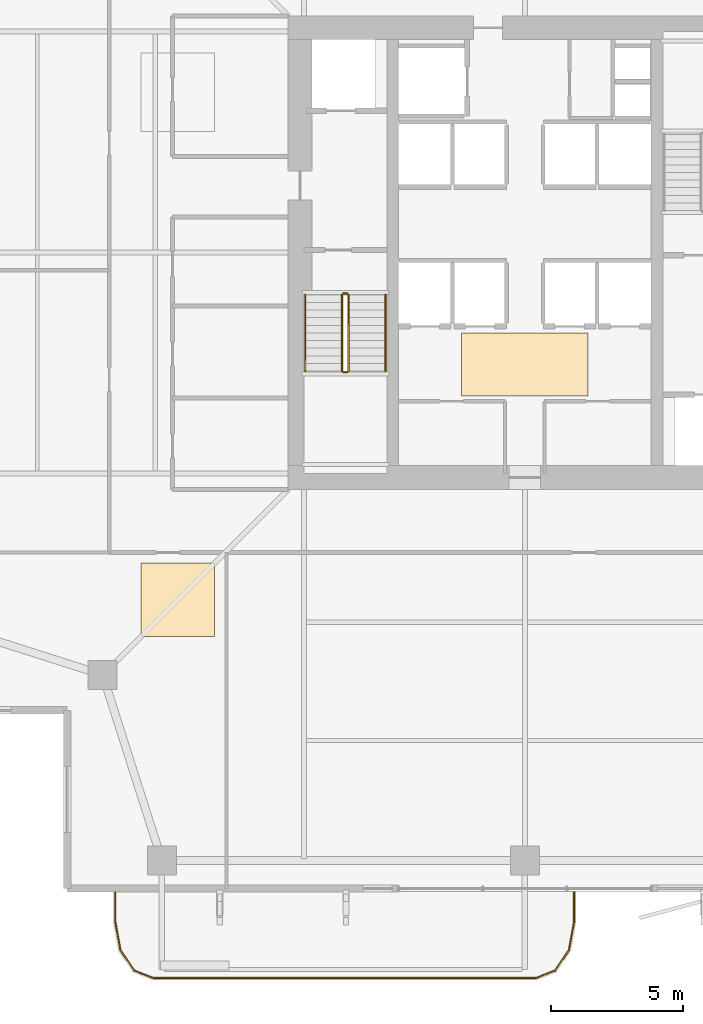
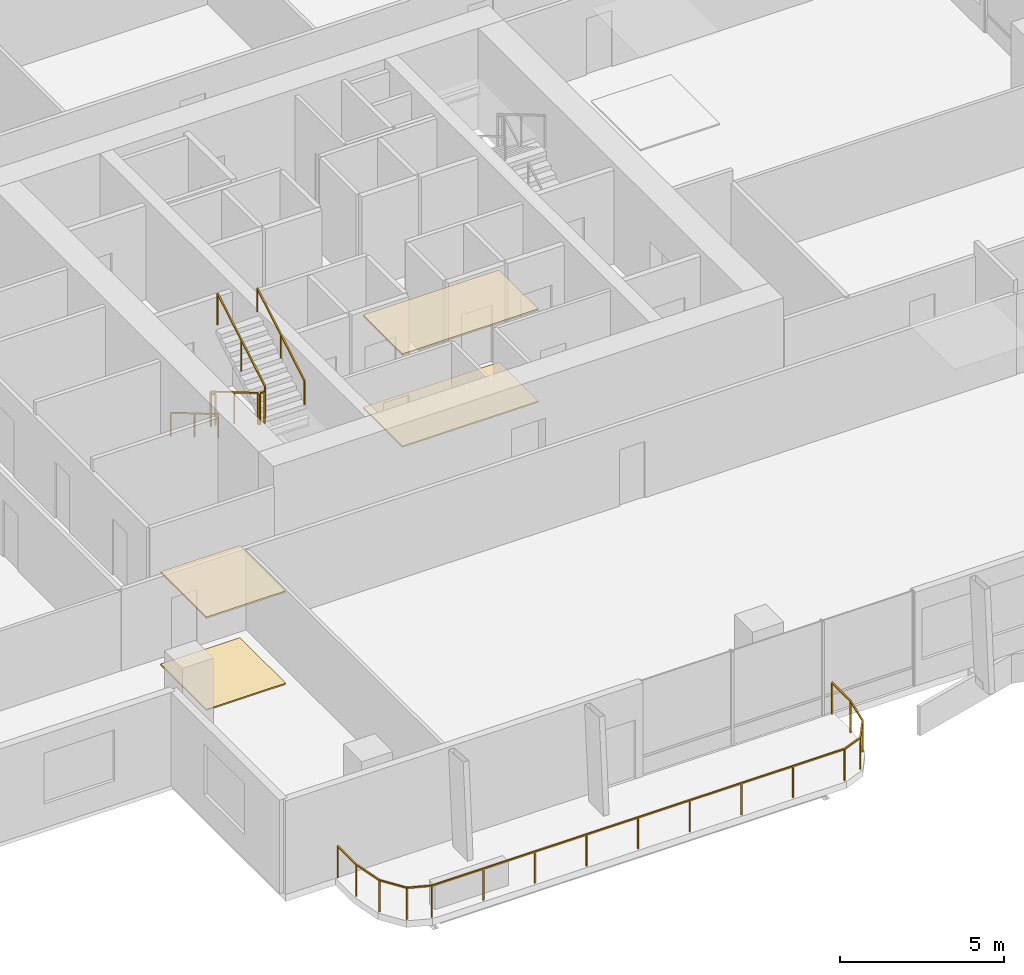
# One storey, part 23 of 25: 7 railings, 4 coverings.
"""IFC4 building model written with IfcOpenShell, lengths in metres."""

import ifcopenshell
import ifcopenshell.guid

model = None  # the IFC model being written
_history = None  # IfcOwnerHistory: only IFC2X3 demands one
_inside = {}  # id of a spatial element -> (the spatial element, [elements in it])
_under = {}  # id of a project, library or spatial element -> (it, [spatial elements below it])
_declared = {}  # id of a project -> (the project, [libraries it declares])
_typed = {}  # id of a type object -> (the type object, [elements of that type])
_made_of = {}  # id of a material, layer set ... -> (it, [elements and type objects made of it])


def new_model(schema):
    """Start an empty IFC model of exactly this schema.

    Asked for "IFC4X3", IfcOpenShell would pick the latest addendum, in which some entities
    have other attributes; the version numbers below select the first issue.
    IFC2X3 requires an IfcOwnerHistory on every rooted entity: one is made here for all.
    """
    global model, _history
    if schema == "IFC4X3":
        model = ifcopenshell.file(schema_version=(4, 3, 0, 0))
    else:
        model = ifcopenshell.file(schema=schema)
    _inside.clear()
    _under.clear()
    _declared.clear()
    _typed.clear()
    _made_of.clear()
    _history = None
    if model.schema == "IFC2X3":
        org = make("IfcOrganization", Name="unknown")
        user = make(
            "IfcPersonAndOrganization",
            ThePerson=make("IfcPerson", FamilyName="unknown"),
            TheOrganization=org,
        )
        app = make(
            "IfcApplication",
            ApplicationDeveloper=org,
            Version="unknown",
            ApplicationFullName="unknown",
            ApplicationIdentifier="unknown",
        )
        _history = make(
            "IfcOwnerHistory",
            OwningUser=user,
            OwningApplication=app,
            ChangeAction="ADDED",
            CreationDate=0,
        )
    return model


def make(cls, **values):
    """One entity of the class cls with the attributes given. An attribute that is None is left unset."""
    return model.create_entity(
        cls, **{name: value for name, value in values.items() if value is not None}
    )


def rooted(cls, **values):
    """An entity with a GlobalId (a new one), such as an element, a storey or a relation."""
    return make(cls, GlobalId=ifcopenshell.guid.new(), OwnerHistory=_history, **values)


def si_unit(unit_type, name, prefix=None):
    """IfcSIUnit, for example si_unit("LENGTHUNIT", "METRE", prefix="MILLI")."""
    return make("IfcSIUnit", UnitType=unit_type, Prefix=prefix, Name=name)


def assignment(units):
    """IfcUnitAssignment: the units of a project."""
    return None if units is None else make("IfcUnitAssignment", Units=units)


def point(xyz):
    """IfcCartesianPoint."""
    return None if xyz is None else make("IfcCartesianPoint", Coordinates=xyz)


def direction(xyz):
    """IfcDirection."""
    return None if xyz is None else make("IfcDirection", DirectionRatios=xyz)


def frame(location, z_axis=None, x_axis=None):
    """IfcAxis2Placement3D, a coordinate frame: its origin and axes. An axis left out is left unset."""
    return make(
        "IfcAxis2Placement3D",
        Location=point(location),
        Axis=direction(z_axis),
        RefDirection=direction(x_axis),
    )


def frame_2d(location, x_axis=None):
    """IfcAxis2Placement2D, a coordinate frame in the plane: its origin and x axis."""
    return make(
        "IfcAxis2Placement2D", Location=point(location), RefDirection=direction(x_axis)
    )


def origin():
    """The frame at (0, 0, 0) with its axes left unset."""
    return frame((0.0, 0.0, 0.0))


def origin_2d():
    """The frame at (0, 0) in the plane with its x axis left unset."""
    return frame_2d((0.0, 0.0))


def place(relative_to, where):
    """IfcLocalPlacement: puts the frame where relative to a parent placement (None: the world)."""
    return make(
        "IfcLocalPlacement", PlacementRelTo=relative_to, RelativePlacement=where
    )


def context(
    kind, dimensions, precision=None, world=None, true_north=None, identifier=None
):
    """IfcGeometricRepresentationContext, for example the 3D "Model" context."""
    return make(
        "IfcGeometricRepresentationContext",
        ContextIdentifier=identifier,
        ContextType=kind,
        CoordinateSpaceDimension=dimensions,
        Precision=precision,
        WorldCoordinateSystem=world,
        TrueNorth=true_north,
    )


def subcontext(parent, identifier, kind, view, scale=None):
    """IfcGeometricRepresentationSubContext, for example "Body" below "Model"."""
    return make(
        "IfcGeometricRepresentationSubContext",
        ContextIdentifier=identifier,
        ContextType=kind,
        ParentContext=parent,
        TargetScale=scale,
        TargetView=view,
    )


def project(units=None, contexts=None):
    """IfcProject with its units and contexts."""
    return rooted(
        "IfcProject",
        Name="project",
        RepresentationContexts=contexts,
        UnitsInContext=assignment(units),
    )


def spatial(cls, under=None, at=None, **own):
    """A site, building, storey or space (cls), placed at a placement, below another one or the project."""
    s = rooted(cls, ObjectPlacement=at, **own)
    if under is not None:
        _under.setdefault(under.id(), (under, []))[1].append(s)
    return s


def polyline(points):
    """IfcPolyline through the points."""
    return make("IfcPolyline", Points=[point(p) for p in points])


def profile(cls, at=None, kind="AREA", **sizes):
    """A parametric profile (cls). Its sizes go by their IFC names, for example OverallWidth=200.0."""
    return make(cls, ProfileType=kind, Position=at, **sizes)


def rectangle(**sizes):
    """IfcRectangleProfileDef."""
    return profile("IfcRectangleProfileDef", **sizes)


def outline(outer, holes=None, kind="AREA"):
    """IfcArbitraryClosedProfileDef: a profile drawn as a closed curve; with holes, ...WithVoids."""
    if holes is None:
        return make("IfcArbitraryClosedProfileDef", ProfileType=kind, OuterCurve=outer)
    return make(
        "IfcArbitraryProfileDefWithVoids",
        ProfileType=kind,
        OuterCurve=outer,
        InnerCurves=holes,
    )


def extrude(swept, where, along, depth):
    """IfcExtrudedAreaSolid: the profile swept, set in the frame where, extruded along a direction by depth."""
    return make(
        "IfcExtrudedAreaSolid",
        SweptArea=swept,
        Position=where,
        ExtrudedDirection=direction(along),
        Depth=depth,
    )


def shape(context_of_items, identifier, shape_type, items):
    """IfcShapeRepresentation: the items that make up one representation, for example the "Body"."""
    return make(
        "IfcShapeRepresentation",
        ContextOfItems=context_of_items,
        RepresentationIdentifier=identifier,
        RepresentationType=shape_type,
        Items=items,
    )


def material(Name=None, Category=None):
    """IfcMaterial."""
    return make("IfcMaterial", Name=Name, Category=Category)


def layer(
    of_material, thickness, ventilated=None, Name=None, Category=None, Priority=None
):
    """IfcMaterialLayer: one layer of a wall or slab, of a material (None: an air gap)."""
    return make(
        "IfcMaterialLayer",
        Material=of_material,
        LayerThickness=thickness,
        IsVentilated=ventilated,
        Name=Name,
        Category=Category,
        Priority=Priority,
    )


def layer_set(layers, Name=None):
    """IfcMaterialLayerSet."""
    return make("IfcMaterialLayerSet", MaterialLayers=layers, LayerSetName=Name)


def made_of(thing, what):
    """Note that an element or type object is made of a material, layer set ...; save() writes the relation."""
    if what is not None:
        _made_of.setdefault(what.id(), (what, []))[1].append(thing)
    return thing


def type_object(cls, material=None, **own):
    """A type object (cls), such as IfcWallType, which elements share."""
    return made_of(rooted(cls, **own), material)


def element(
    cls,
    number,
    at=None,
    inside=None,
    cuts=None,
    type_object=None,
    material=None,
    context=None,
    identifier="Body",
    shape_type=None,
    held_by="IfcProductDefinitionShape",
    body=None,
    shapes=None,
    **own,
):
    """One element of the class cls, such as IfcWall. Its Tag is "e" and its number.

    at: its placement. inside: the storey or other place that contains it. cuts: it is an
    opening in that element (IfcRelVoidsElement). A single representation is given by context,
    identifier, shape_type and body (its items); several are given by shapes. held_by: the class
    of the entity that holds the representations. save() writes the other relations.
    """
    e = rooted(cls, Tag="e%d" % number, ObjectPlacement=at, **own)
    if body is not None:
        shapes = [shape(context, identifier, shape_type, body)]
    if shapes is not None:
        e.Representation = make(held_by, Representations=shapes)
    if inside is not None:
        _inside.setdefault(inside.id(), (inside, []))[1].append(e)
    if cuts is not None:
        rooted(
            "IfcRelVoidsElement", RelatingBuildingElement=cuts, RelatedOpeningElement=e
        )
    if type_object is not None:
        _typed.setdefault(type_object.id(), (type_object, []))[1].append(e)
    return made_of(e, material)


def aggregate(whole, parts):
    """IfcRelAggregates: a whole, such as a stair, and the parts it consists of."""
    return rooted("IfcRelAggregates", RelatingObject=whole, RelatedObjects=parts)


def save(model, path):
    """Write the relations noted so far, then the file.

    IfcRelAggregates (storeys below a building ...), IfcRelContainedInSpatialStructure (elements
    in a storey), IfcRelDefinesByType, IfcRelAssociatesMaterial and IfcRelDeclares: one each for
    every whole, place, type object, material and project.
    """
    for whole, parts in _under.values():
        aggregate(whole, parts)
    for where, things in _inside.values():
        rooted(
            "IfcRelContainedInSpatialStructure",
            RelatedElements=things,
            RelatingStructure=where,
        )
    for kind, things in _typed.values():
        rooted("IfcRelDefinesByType", RelatedObjects=things, RelatingType=kind)
    for what, things in _made_of.values():
        rooted("IfcRelAssociatesMaterial", RelatedObjects=things, RelatingMaterial=what)
    for by, libraries in _declared.values():
        rooted("IfcRelDeclares", RelatingContext=by, RelatedDefinitions=libraries)
    model.write(path)


model = new_model("IFC4")

# Units and contexts
model_context = context("Model", 3, precision=1e-05, world=origin(), true_north=direction((0.0, 1.0)))
body_context = subcontext(model_context, "Body", "Model", "MODEL_VIEW")
ifc_project = project(units=[si_unit("LENGTHUNIT", "METRE"), si_unit("AREAUNIT", "SQUARE_METRE"), si_unit("VOLUMEUNIT", "CUBIC_METRE"), si_unit("PLANEANGLEUNIT", "RADIAN"), si_unit("MASSUNIT", "GRAM", prefix="KILO")], contexts=[model_context])

# Site, building, storey
site_placement = place(None, origin())
site = spatial("IfcSite", under=ifc_project, at=site_placement, CompositionType="ELEMENT")
building_placement = place(site_placement, origin())
building = spatial("IfcBuilding", under=site, at=building_placement, Name="Belovzor Exchange Tower", CompositionType="ELEMENT")
storey_placement = place(building_placement, frame((0.0, 0.0, 183.300048828125)))
storey = spatial("IfcBuildingStorey", under=building, at=storey_placement, Name="L45", CompositionType="ELEMENT", Elevation=183.300048828125)

# Railings
ifc_material_1 = material(Name="Stainless Steel Grade 304", Category="steel")
railing_type_1 = type_object("IfcRailingType", Name="Brushed Stainless Steel Stair Handrail 900", PredefinedType="HANDRAIL", material=ifc_material_1)
railing_1_placement = place(storey_placement, frame((20.449951171875, 27.199951171875, 0.17041015625)))
element("IfcRailing", 1, at=railing_1_placement, inside=storey, type_object=railing_type_1, Name="L45 ST-1 stair handrail 1", PredefinedType="HANDRAIL", context=body_context, shape_type="SweptSolid", body=[
    extrude(rectangle(XDim=0.048095703125, YDim=0.048095703125, at=origin_2d()), frame((0.0, 0.0, 0.8759765625), z_axis=(0.0, -0.86209462966, 0.506747323142), x_axis=(1.0, 0.0, 0.0)), (0.0, 0.0, 1.0), 3.36376953125),
    extrude(rectangle(XDim=0.0419921875, YDim=0.0419921875, at=origin_2d()), origin(), (0.0, 0.0, 1.0), 0.851806640625),
    extrude(rectangle(XDim=0.0419921875, YDim=0.0419921875, at=origin_2d()), frame((0.0, -1.449951171875, 0.852294921875)), (0.0, 0.0, 1.0), 0.851806640625),
    extrude(rectangle(XDim=0.0419921875, YDim=0.0419921875, at=origin_2d()), frame((0.0, -2.89990234375, 1.70458984375)), (0.0, 0.0, 1.0), 0.851806640625),
])
railing_2_placement = place(storey_placement, frame((23.5, 24.300048828125, 2.04541015625)))
element("IfcRailing", 2, at=railing_2_placement, inside=storey, type_object=railing_type_1, Name="L45 ST-1 stair handrail 2", PredefinedType="HANDRAIL", context=body_context, shape_type="SweptSolid", body=[
    extrude(rectangle(XDim=0.048095703125, YDim=0.048095703125, at=origin_2d()), frame((0.0, 0.0, 0.8759765625), z_axis=(0.0, 0.86209462966, 0.506747323142), x_axis=(-1.0, 0.0, 0.0)), (0.0, 0.0, 1.0), 3.36376953125),
    extrude(rectangle(XDim=0.0419921875, YDim=0.0419921875, at=origin_2d()), origin(), (0.0, 0.0, 1.0), 0.851806640625),
    extrude(rectangle(XDim=0.0419921875, YDim=0.0419921875, at=origin_2d()), frame((0.0, 1.449951171875, 0.852294921875)), (0.0, 0.0, 1.0), 0.851806640625),
    extrude(rectangle(XDim=0.0419921875, YDim=0.0419921875, at=origin_2d()), frame((0.0, 2.89990234375, 1.70458984375)), (0.0, 0.0, 1.0), 0.851806640625),
])
ifc_material_2 = material(Name="Stainless Steel and Laminated Safety Glass", Category="steel")
railing_type_2 = type_object("IfcRailingType", Name="Laminated Glass & Stainless Steel Balcony Balustrade 1200", PredefinedType="BALUSTRADE", material=ifc_material_2)
railing_3_placement = place(storey_placement, frame((13.22998046875, 4.489990234375, 0.0)))
element("IfcRailing", 3, at=railing_3_placement, inside=storey, type_object=railing_type_2, Name="GR-1 Balcony Balustrade L45 South", PredefinedType="BALUSTRADE", context=body_context, shape_type="SweptSolid", body=[
    extrude(rectangle(XDim=0.048095703125, YDim=0.048095703125, at=origin_2d()), frame((0.0, 0.0, 1.17578125), z_axis=(0.0, -1.0, 0.0), x_axis=(1.0, 0.0, 0.0)), (0.0, 0.0, 1.0), 1.133056640625),
    extrude(rectangle(XDim=0.048095703125, YDim=0.048095703125, at=origin_2d()), frame((0.0, -1.133056640625, 1.17578125), z_axis=(0.180122719713, -0.983644145941, 0.0), x_axis=(0.983644145941, 0.180122719713, 0.0)), (0.0, 0.0, 1.0), 1.09375),
    extrude(rectangle(XDim=0.048095703125, YDim=0.048095703125, at=origin_2d()), frame((0.197021484375, -2.208984375, 1.17578125), z_axis=(0.562768145367, -0.826614792125, 0.0), x_axis=(0.826614792125, 0.562768145367, 0.0)), (0.0, 0.0, 1.0), 0.9326171875),
    extrude(rectangle(XDim=0.048095703125, YDim=0.048095703125, at=origin_2d()), frame((0.721923828125, -2.97998046875, 1.17578125), z_axis=(0.930809580156, -0.365504480807, 0.0), x_axis=(0.365504480807, 0.930809580156, 0.0)), (0.0, 0.0, 1.0), 0.76611328125),
    extrude(rectangle(XDim=0.048095703125, YDim=0.048095703125, at=origin_2d()), frame((1.43505859375, -3.260009765625, 1.17578125), z_axis=(1.0, 0.0, 0.0), x_axis=(0.0, 1.0, 0.0)), (0.0, 0.0, 1.0), 14.570068359375),
    extrude(rectangle(XDim=0.048095703125, YDim=0.048095703125, at=origin_2d()), frame((16.005126953125, -3.260009765625, 1.17578125), z_axis=(0.930766990125, 0.365612923861, 0.0), x_axis=(-0.365612923861, 0.930766990125, 0.0)), (0.0, 0.0, 1.0), 0.765869140625),
    extrude(rectangle(XDim=0.048095703125, YDim=0.048095703125, at=origin_2d()), frame((16.718017578125, -2.97998046875, 1.17578125), z_axis=(0.562768145367, 0.826614792125, 0.0), x_axis=(-0.826614792125, 0.562768145367, 0.0)), (0.0, 0.0, 1.0), 0.9326171875),
    extrude(rectangle(XDim=0.048095703125, YDim=0.048095703125, at=origin_2d()), frame((17.242919921875, -2.208984375, 1.17578125), z_axis=(0.180122719713, 0.983644145941, 0.0), x_axis=(-0.983644145941, 0.180122719713, 0.0)), (0.0, 0.0, 1.0), 1.09375),
    extrude(rectangle(XDim=0.048095703125, YDim=0.048095703125, at=origin_2d()), frame((17.43994140625, -1.133056640625, 1.17578125), z_axis=(0.0, 1.0, 0.0), x_axis=(-1.0, 0.0, 0.0)), (0.0, 0.0, 1.0), 1.133056640625),
    extrude(rectangle(XDim=0.0419921875, YDim=0.0419921875, at=origin_2d()), origin(), (0.0, 0.0, 1.0), 1.15185546875),
    extrude(rectangle(XDim=0.0419921875, YDim=0.0419921875, at=origin_2d()), frame((0.0, -1.133056640625, 0.0)), (0.0, 0.0, 1.0), 1.15185546875),
    extrude(rectangle(XDim=0.0419921875, YDim=0.0419921875, at=origin_2d()), frame((0.197021484375, -2.208984375, 0.0)), (0.0, 0.0, 1.0), 1.15185546875),
    extrude(rectangle(XDim=0.0419921875, YDim=0.0419921875, at=origin_2d()), frame((0.721923828125, -2.97998046875, 0.0)), (0.0, 0.0, 1.0), 1.15185546875),
    extrude(rectangle(XDim=0.0419921875, YDim=0.0419921875, at=origin_2d()), frame((1.43505859375, -3.260009765625, 0.0)), (0.0, 0.0, 1.0), 1.15185546875),
    extrude(rectangle(XDim=0.0419921875, YDim=0.0419921875, at=origin_2d()), frame((3.25634765625, -3.260009765625, 0.0)), (0.0, 0.0, 1.0), 1.15185546875),
    extrude(rectangle(XDim=0.0419921875, YDim=0.0419921875, at=origin_2d()), frame((5.07763671875, -3.260009765625, 0.0)), (0.0, 0.0, 1.0), 1.15185546875),
    extrude(rectangle(XDim=0.0419921875, YDim=0.0419921875, at=origin_2d()), frame((6.89892578125, -3.260009765625, 0.0)), (0.0, 0.0, 1.0), 1.15185546875),
    extrude(rectangle(XDim=0.0419921875, YDim=0.0419921875, at=origin_2d()), frame((8.72021484375, -3.260009765625, 0.0)), (0.0, 0.0, 1.0), 1.15185546875),
    extrude(rectangle(XDim=0.0419921875, YDim=0.0419921875, at=origin_2d()), frame((10.541259765625, -3.260009765625, 0.0)), (0.0, 0.0, 1.0), 1.15185546875),
    extrude(rectangle(XDim=0.0419921875, YDim=0.0419921875, at=origin_2d()), frame((12.362548828125, -3.260009765625, 0.0)), (0.0, 0.0, 1.0), 1.15185546875),
    extrude(rectangle(XDim=0.0419921875, YDim=0.0419921875, at=origin_2d()), frame((14.183837890625, -3.260009765625, 0.0)), (0.0, 0.0, 1.0), 1.15185546875),
    extrude(rectangle(XDim=0.0419921875, YDim=0.0419921875, at=origin_2d()), frame((16.005126953125, -3.260009765625, 0.0)), (0.0, 0.0, 1.0), 1.15185546875),
    extrude(rectangle(XDim=0.0419921875, YDim=0.0419921875, at=origin_2d()), frame((16.718017578125, -2.97998046875, 0.0)), (0.0, 0.0, 1.0), 1.15185546875),
    extrude(rectangle(XDim=0.0419921875, YDim=0.0419921875, at=origin_2d()), frame((17.242919921875, -2.208984375, 0.0)), (0.0, 0.0, 1.0), 1.15185546875),
    extrude(rectangle(XDim=0.0419921875, YDim=0.0419921875, at=origin_2d()), frame((17.43994140625, -1.133056640625, 0.0)), (0.0, 0.0, 1.0), 1.15185546875),
    extrude(rectangle(XDim=0.0419921875, YDim=0.0419921875, at=origin_2d()), frame((17.43994140625, 0.0, 0.0)), (0.0, 0.0, 1.0), 1.15185546875),
])
ifc_material_3 = material(Name="Steel S355", Category="steel")
railing_type_3 = type_object("IfcRailingType", Name="Painted Steel Stairwell Guardrail 1200", PredefinedType="GUARDRAIL", material=ifc_material_3)
railing_4_placement = place(storey_placement, frame((21.85009765625, 27.199951171875, 0.17041015625)))
element("IfcRailing", 4, at=railing_4_placement, inside=storey, type_object=railing_type_3, Name="L45 ST-1 stair guard 1", PredefinedType="GUARDRAIL", context=body_context, shape_type="SweptSolid", body=[
    extrude(rectangle(XDim=0.048095703125, YDim=0.048095703125, at=origin_2d()), frame((0.0, 0.0, 1.17578125), z_axis=(0.0, -0.86209462966, 0.506747323142), x_axis=(1.0, 0.0, 0.0)), (0.0, 0.0, 1.0), 3.36376953125),
    extrude(rectangle(XDim=0.0419921875, YDim=0.0419921875, at=origin_2d()), origin(), (0.0, 0.0, 1.0), 1.15185546875),
    extrude(rectangle(XDim=0.0419921875, YDim=0.0419921875, at=origin_2d()), frame((0.0, -1.449951171875, 0.852294921875)), (0.0, 0.0, 1.0), 1.15185546875),
    extrude(rectangle(XDim=0.0419921875, YDim=0.0419921875, at=origin_2d()), frame((0.0, -2.89990234375, 1.70458984375)), (0.0, 0.0, 1.0), 1.15185546875),
])
railing_5_placement = place(storey_placement, frame((21.89990234375, 24.25, 1.875)))
element("IfcRailing", 5, at=railing_5_placement, inside=storey, type_object=railing_type_3, Name="L45 ST-1 stair guard 2", PredefinedType="GUARDRAIL", context=body_context, shape_type="SweptSolid", body=[
    extrude(rectangle(XDim=0.048095703125, YDim=0.048095703125, at=origin_2d()), frame((0.0, 0.0, 1.17578125), z_axis=(1.0, 0.0, 0.0), x_axis=(0.0, 1.0, 0.0)), (0.0, 0.0, 1.0), 0.150146484375),
    extrude(rectangle(XDim=0.0419921875, YDim=0.0419921875, at=origin_2d()), origin(), (0.0, 0.0, 1.0), 1.15185546875),
    extrude(rectangle(XDim=0.0419921875, YDim=0.0419921875, at=origin_2d()), frame((0.150146484375, 0.0, 0.0)), (0.0, 0.0, 1.0), 1.15185546875),
])
railing_6_placement = place(storey_placement, frame((22.10009765625, 24.300048828125, 2.04541015625)))
element("IfcRailing", 6, at=railing_6_placement, inside=storey, type_object=railing_type_3, Name="L45 ST-1 stair guard 3", PredefinedType="GUARDRAIL", context=body_context, shape_type="SweptSolid", body=[
    extrude(rectangle(XDim=0.048095703125, YDim=0.048095703125, at=origin_2d()), frame((0.0, 0.0, 1.17578125), z_axis=(0.0, 0.86209462966, 0.506747323142), x_axis=(-1.0, 0.0, 0.0)), (0.0, 0.0, 1.0), 3.36376953125),
    extrude(rectangle(XDim=0.0419921875, YDim=0.0419921875, at=origin_2d()), origin(), (0.0, 0.0, 1.0), 1.15185546875),
    extrude(rectangle(XDim=0.0419921875, YDim=0.0419921875, at=origin_2d()), frame((0.0, 1.449951171875, 0.852294921875)), (0.0, 0.0, 1.0), 1.15185546875),
    extrude(rectangle(XDim=0.0419921875, YDim=0.0419921875, at=origin_2d()), frame((0.0, 2.89990234375, 1.70458984375)), (0.0, 0.0, 1.0), 1.15185546875),
])
railing_7_placement = place(storey_placement, frame((21.89990234375, 27.25, 0.0)))
element("IfcRailing", 7, at=railing_7_placement, inside=storey, type_object=railing_type_3, Name="L45 ST-1 stair guard 4", PredefinedType="GUARDRAIL", context=body_context, shape_type="SweptSolid", body=[
    extrude(rectangle(XDim=0.048095703125, YDim=0.048095703125, at=origin_2d()), frame((0.0, 0.0, 1.17578125), z_axis=(1.0, 0.0, 0.0), x_axis=(0.0, 1.0, 0.0)), (0.0, 0.0, 1.0), 0.150146484375),
    extrude(rectangle(XDim=0.0419921875, YDim=0.0419921875, at=origin_2d()), origin(), (0.0, 0.0, 1.0), 1.15185546875),
    extrude(rectangle(XDim=0.0419921875, YDim=0.0419921875, at=origin_2d()), frame((0.150146484375, 0.0, 0.0)), (0.0, 0.0, 1.0), 1.15185546875),
])

# Coverings
ifc_material_4 = material(Name="Perforated Powder-Coated Aluminium", Category="aluminium")
ifc_layer_1 = layer(ifc_material_4, 0.06005859375)
ifc_layer_set_1 = layer_set([ifc_layer_1], Name="Perforated Powder-Coated Aluminium")
covering_type_1 = type_object("IfcCoveringType", Name="Perforated Acoustic Metal Tile Suspended Ceiling 60", PredefinedType="CEILING", material=ifc_layer_set_1)
covering_1_placement = place(storey_placement, frame((0.0, 0.0, 3.43505859375)))
element("IfcCovering", 8, at=covering_1_placement, inside=storey, type_object=covering_type_1, Name="CLG-AC60 Suspended Ceiling CLG-L45-LOB", PredefinedType="CEILING", context=body_context, shape_type="SweptSolid", body=[
    extrude(outline(polyline([(26.39990234375, 23.35009765625), (31.199951171875, 23.35009765625), (31.199951171875, 25.75), (26.39990234375, 25.75), (26.39990234375, 23.35009765625)])), origin(), (0.0, 0.0, 1.0), 0.059814453125),
])
covering_2_placement = place(storey_placement, frame((0.0, 0.0, 3.43505859375)))
element("IfcCovering", 9, at=covering_2_placement, inside=storey, type_object=covering_type_1, Name="CLG-AC60 Suspended Ceiling CLG-L45-Z0", PredefinedType="CEILING", context=body_context, shape_type="SweptSolid", body=[
    extrude(outline(polyline([(14.199951171875, 14.199951171875), (17.0, 14.199951171875), (17.0, 17.0), (14.199951171875, 17.0), (14.199951171875, 14.199951171875)])), origin(), (0.0, 0.0, 1.0), 0.059814453125),
])
ifc_material_5 = material(Name="Polished Natural Granite Tile", Category="masonry")
ifc_layer_2 = layer(ifc_material_5, 0.050048828125)
ifc_layer_set_2 = layer_set([ifc_layer_2], Name="Polished Natural Granite Tile")
covering_type_2 = type_object("IfcCoveringType", Name="Polished Karelian Granite & Raised Access Floor Finish 50", PredefinedType="FLOORING", material=ifc_layer_set_2)
covering_3_placement = place(storey_placement, origin())
element("IfcCovering", 10, at=covering_3_placement, inside=storey, type_object=covering_type_2, Name="FLR-GR50 Floor Finish FLR-L45-LOB", PredefinedType="FLOORING", context=body_context, shape_type="SweptSolid", body=[
    extrude(outline(polyline([(26.39990234375, 23.35009765625), (31.199951171875, 23.35009765625), (31.199951171875, 25.75), (26.39990234375, 25.75), (26.39990234375, 23.35009765625)])), origin(), (0.0, 0.0, 1.0), 0.050048828125),
])
covering_4_placement = place(storey_placement, origin())
element("IfcCovering", 11, at=covering_4_placement, inside=storey, type_object=covering_type_2, Name="FLR-GR50 Floor Finish FLR-L45-Z0", PredefinedType="FLOORING", context=body_context, shape_type="SweptSolid", body=[
    extrude(outline(polyline([(14.199951171875, 14.199951171875), (17.0, 14.199951171875), (17.0, 17.0), (14.199951171875, 17.0), (14.199951171875, 14.199951171875)])), origin(), (0.0, 0.0, 1.0), 0.050048828125),
])

save(model, "model.ifc")
